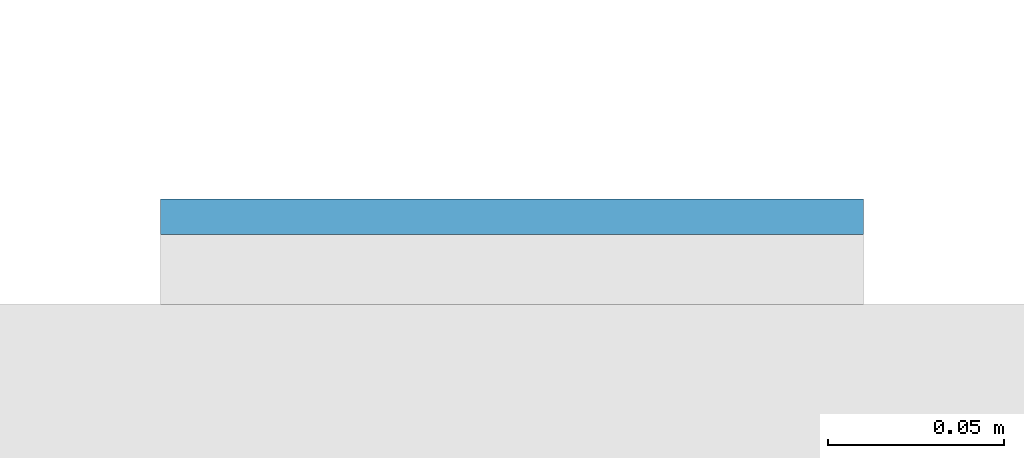
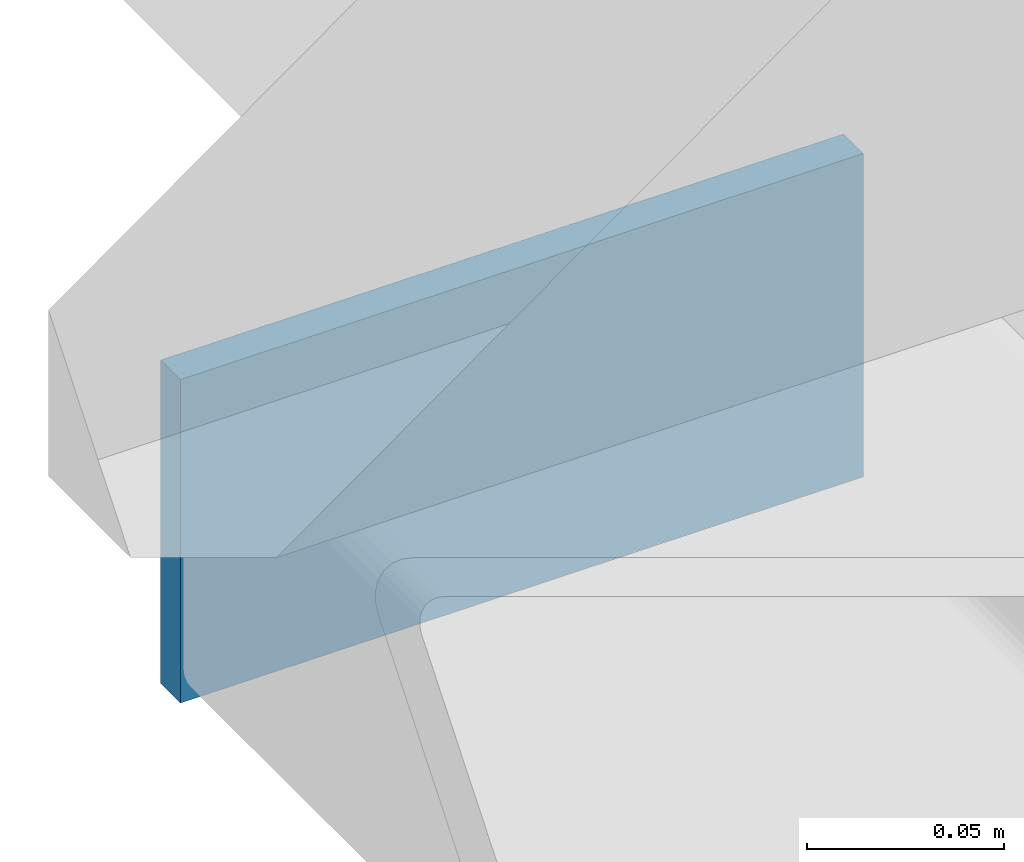
# One storey, part 9 of 20: 1 plate.
"""IFC4 building model written with IfcOpenShell, lengths in metres."""

from ifc_helpers import new_model, si_unit, direction, frame, origin, origin_2d, place, context, subcontext, project, spatial, rectangle, extrude, material, layer, layer_set, type_object, element, save


model = new_model("IFC4")

# Units and contexts
model_context = context("Model", 3, precision=1e-05, world=origin(), true_north=direction((0.0, 1.0)))
body_context = subcontext(model_context, "Body", "Model", "MODEL_VIEW")
ifc_project = project(units=[si_unit("LENGTHUNIT", "METRE"), si_unit("AREAUNIT", "SQUARE_METRE"), si_unit("VOLUMEUNIT", "CUBIC_METRE"), si_unit("PLANEANGLEUNIT", "RADIAN"), si_unit("MASSUNIT", "GRAM", prefix="KILO")], contexts=[model_context])

# Site, building, storey
site_placement = place(None, origin())
site = spatial("IfcSite", under=ifc_project, at=site_placement, CompositionType="ELEMENT")
building_placement = place(site_placement, origin())
building = spatial("IfcBuilding", under=site, at=building_placement, Name="Cleftline Residences", CompositionType="ELEMENT")
storey_placement = place(building_placement, frame((0.0, 0.0, 40.39990234375)))
storey = spatial("IfcBuildingStorey", under=building, at=storey_placement, Name="L09", CompositionType="ELEMENT", Elevation=40.39990234375)

# Plate
ifc_material = material(Name="Steel S355, hot-dip galvanised", Category="steel")
ifc_layer = layer(ifc_material, 0.010009765625)
ifc_layer_set = layer_set([ifc_layer], Name="BAGUETTE CARRIER END PLATE 200X100X10")
plate_type = type_object("IfcPlateType", Name="BAGUETTE CARRIER END PLATE 200X100X10", PredefinedType="USERDEFINED", material=ifc_layer_set)
plate_placement = place(storey_placement, frame((-0.85009765625, 44.304931640625, -0.099853515625), z_axis=(0.0, 0.0, 1.0), x_axis=(-1.0, 0.0, 0.0)))
element("IfcPlate", 1, at=plate_placement, inside=storey, type_object=plate_type, Name="Baguette carrier end plate", ObjectType="BAGUETTE CARRIER END PLATE", PredefinedType="USERDEFINED", context=body_context, shape_type="SweptSolid", body=[
    extrude(rectangle(XDim=0.199951171875, YDim=0.010009765625, at=origin_2d()), origin(), (0.0, 0.0, 1.0), 0.10009765625),
])

save(model, "model.ifc")
